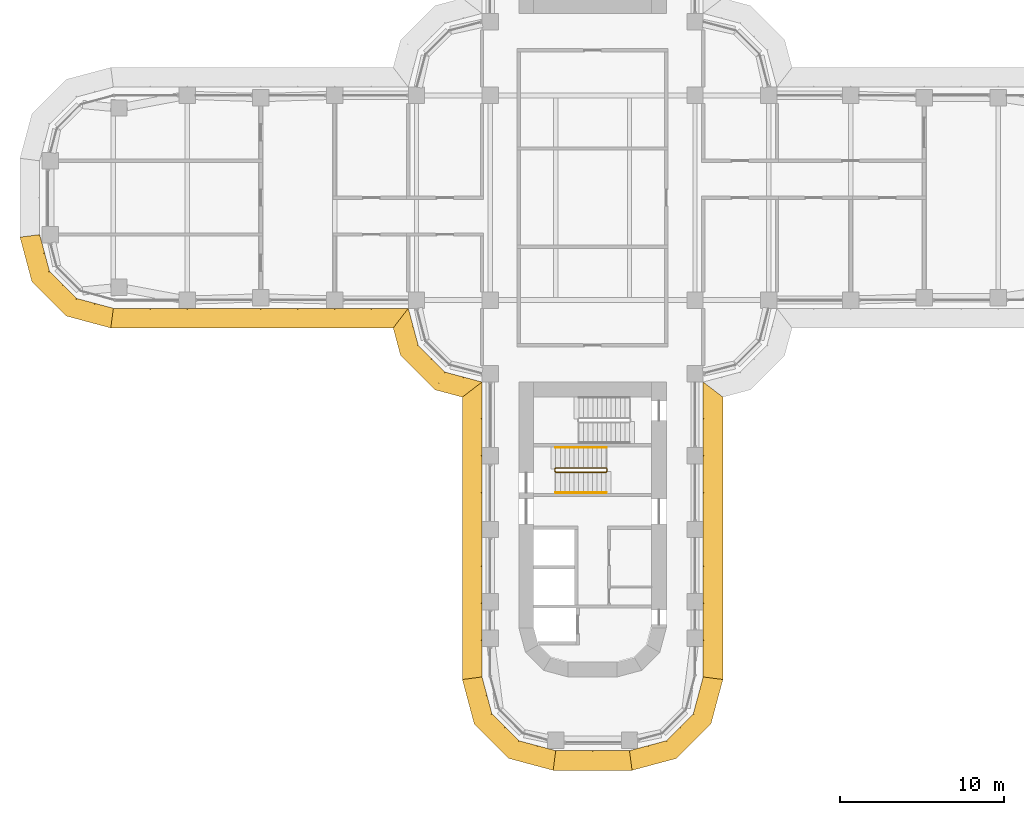
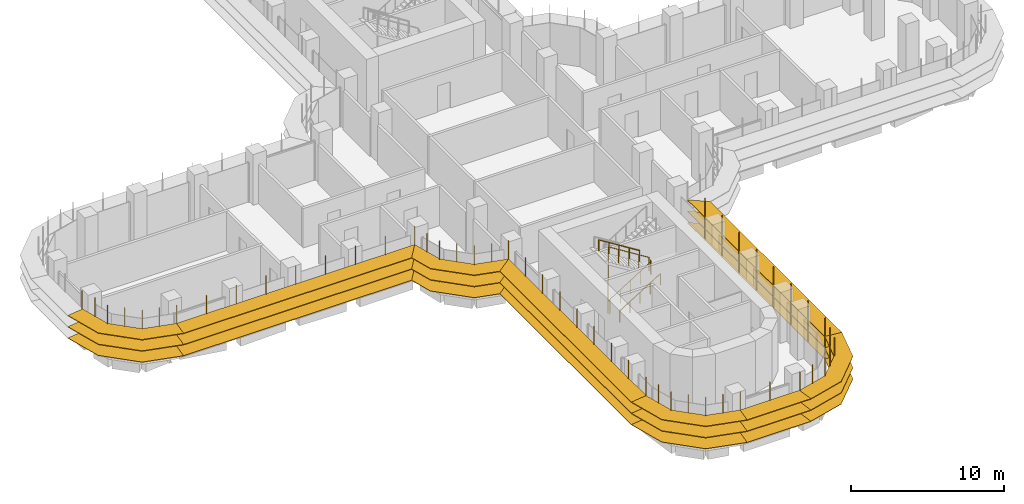
# One storey, part 20 of 23: 8 shading devices, 3 railings.
"""IFC4 building model written with IfcOpenShell, lengths in metres."""

from ifc_helpers import new_model, si_unit, direction, frame, origin, origin_2d, place, context, subcontext, project, spatial, polyline, circle, outline, extrude, faceted_brep, source, transform, mapped, material, type_object, element, save


model = new_model("IFC4")

# Units and contexts
model_context = context("Model", 3, precision=1e-05, world=origin(), true_north=direction((0.0, 1.0)))
body_context = subcontext(model_context, "Body", "Model", "MODEL_VIEW")
ifc_project = project(units=[si_unit("LENGTHUNIT", "METRE"), si_unit("AREAUNIT", "SQUARE_METRE"), si_unit("VOLUMEUNIT", "CUBIC_METRE"), si_unit("PLANEANGLEUNIT", "RADIAN"), si_unit("MASSUNIT", "GRAM", prefix="KILO")], contexts=[model_context])

# Site, building, storey
site_placement = place(None, origin())
site = spatial("IfcSite", under=ifc_project, at=site_placement, CompositionType="ELEMENT")
building_placement = place(site_placement, origin())
building = spatial("IfcBuilding", under=site, at=building_placement, Name="Zarbagh Exchange Tower", CompositionType="ELEMENT")
storey_placement = place(building_placement, frame((0.0, 0.0, 39.60009765625)))
storey = spatial("IfcBuildingStorey", under=building, at=storey_placement, Name="L08", CompositionType="ELEMENT", Elevation=39.60009765625)

# Railings
ifc_material_1 = material(Name="Stainless steel", Category="steel")
railing_type_1 = type_object("IfcRailingType", Name="Stair guard 1100 mm", PredefinedType="GUARDRAIL", material=ifc_material_1)
railing_1_placement = place(storey_placement, frame((0.830078125, -16.5, 2.27490234375)))
element("IfcRailing", 1, at=railing_1_placement, inside=storey, type_object=railing_type_1, Name="ST3 stair guard 1", PredefinedType="GUARDRAIL", context=body_context, shape_type="SweptSolid", body=[
    extrude(circle(Radius=0.02392578125, at=origin_2d()), frame((0.0, 0.0, 1.076171875), z_axis=(-0.847998304005, 0.0, 0.529998940003), x_axis=(0.0, -1.0, 0.0)), (0.0, 0.0, 1.0), 3.632080078125),
    extrude(circle(Radius=0.02392578125, at=origin_2d()), frame((-3.080078125, 0.0, 3.0009765625), z_axis=(-0.011914834358, -0.011914834358, -0.999858026644), x_axis=(0.707106781187, -0.707106781187, 0.0)), (0.0, 0.0, 1.0), 4.200439453125),
    extrude(circle(Radius=0.02392578125, at=origin_2d()), frame((-3.130126953125, -0.050048828125, -1.19873046875), z_axis=(0.0, -1.0, 0.0), x_axis=(1.0, 0.0, 0.0)), (0.0, 0.0, 1.0), 0.14990234375),
    extrude(circle(Radius=0.02392578125, at=origin_2d()), frame((-3.130126953125, -0.199951171875, -1.19873046875), z_axis=(0.265383341853, -0.265383341853, 0.926899867156), x_axis=(0.707106781187, 0.707106781187, 0.0)), (0.0, 0.0, 1.0), 0.1884765625),
    extrude(circle(Radius=0.02392578125, at=origin_2d()), frame((-3.080078125, -0.25, -1.02392578125), z_axis=(0.847998304005, 0.0, 0.529998940003), x_axis=(0.0, 1.0, 0.0)), (0.0, 0.0, 1.0), 3.632080078125),
    extrude(circle(Radius=0.02392578125, at=origin_2d()), frame((0.0, -0.25, 0.90087890625), z_axis=(0.705375805398, 0.708833529934, 0.0), x_axis=(-0.708833529934, 0.705375805398, 0.0)), (0.0, 0.0, 1.0), 0.070556640625),
    extrude(circle(Radius=0.02392578125, at=origin_2d()), frame((0.0498046875, -0.199951171875, 0.90087890625), z_axis=(0.0, 1.0, 0.0), x_axis=(-1.0, 0.0, 0.0)), (0.0, 0.0, 1.0), 0.14990234375),
    extrude(circle(Radius=0.02099609375, at=origin_2d()), origin(), (0.0, 0.0, 1.0), 1.052001953125),
    extrude(circle(Radius=0.02099609375, at=origin_2d()), frame((-0.77001953125, 0.0, 0.481201171875)), (0.0, 0.0, 1.0), 1.052001953125),
    extrude(circle(Radius=0.02099609375, at=origin_2d()), frame((-1.5400390625, 0.0, 0.96240234375)), (0.0, 0.0, 1.0), 1.052001953125),
    extrude(circle(Radius=0.02099609375, at=origin_2d()), frame((-2.31005859375, 0.0, 1.44384765625)), (0.0, 0.0, 1.0), 1.052001953125),
    extrude(circle(Radius=0.02099609375, at=origin_2d()), frame((-3.080078125, 0.0, 1.925048828125)), (0.0, 0.0, 1.0), 1.052001953125),
    extrude(circle(Radius=0.02099609375, at=origin_2d()), frame((-3.092529296875, -0.012451171875, 0.875)), (0.0, 0.0, 1.0), 1.052001953125),
    extrude(circle(Radius=0.02099609375, at=origin_2d()), frame((-3.10498046875, -0.02490234375, -0.1748046875)), (0.0, 0.0, 1.0), 1.052001953125),
    extrude(circle(Radius=0.02099609375, at=origin_2d()), frame((-3.11767578125, -0.03759765625, -1.224853515625)), (0.0, 0.0, 1.0), 1.052001953125),
    extrude(circle(Radius=0.02099609375, at=origin_2d()), frame((-3.130126953125, -0.050048828125, -2.27490234375)), (0.0, 0.0, 1.0), 1.052001953125),
    extrude(circle(Radius=0.02099609375, at=origin_2d()), frame((-3.130126953125, -0.199951171875, -2.27490234375)), (0.0, 0.0, 1.0), 1.052001953125),
    extrude(circle(Radius=0.02099609375, at=origin_2d()), frame((-3.080078125, -0.25, -2.10009765625)), (0.0, 0.0, 1.0), 1.052001953125),
    extrude(circle(Radius=0.02099609375, at=origin_2d()), frame((-2.31005859375, -0.25, -1.618896484375)), (0.0, 0.0, 1.0), 1.052001953125),
    extrude(circle(Radius=0.02099609375, at=origin_2d()), frame((-1.5400390625, -0.25, -1.1376953125)), (0.0, 0.0, 1.0), 1.052001953125),
    extrude(circle(Radius=0.02099609375, at=origin_2d()), frame((-0.77001953125, -0.25, -0.65625)), (0.0, 0.0, 1.0), 1.052001953125),
    extrude(circle(Radius=0.02099609375, at=origin_2d()), frame((0.0, -0.25, -0.175048828125)), (0.0, 0.0, 1.0), 1.052001953125),
    extrude(circle(Radius=0.02099609375, at=origin_2d()), frame((0.0498046875, -0.199951171875, -0.175048828125)), (0.0, 0.0, 1.0), 1.052001953125),
    extrude(circle(Radius=0.02099609375, at=origin_2d()), frame((0.0498046875, -0.050048828125, -0.175048828125)), (0.0, 0.0, 1.0), 1.052001953125),
])
railing_type_2 = type_object("IfcRailingType", Name="Stair handrail 900 mm", PredefinedType="HANDRAIL", material=ifc_material_1)
railing_2_placement = place(storey_placement, frame((-2.25, -18.0, 0.1748046875)))
element("IfcRailing", 2, at=railing_2_placement, inside=storey, type_object=railing_type_2, Name="ST3 stair handrail 1", PredefinedType="HANDRAIL", context=body_context, shape_type="SweptSolid", body=[
    extrude(circle(Radius=0.02392578125, at=origin_2d()), frame((0.0, 0.0, 0.8759765625), z_axis=(0.847998304005, 0.0, 0.529998940003), x_axis=(0.0, 1.0, 0.0)), (0.0, 0.0, 1.0), 3.632080078125),
    extrude(circle(Radius=0.02099609375, at=origin_2d()), origin(), (0.0, 0.0, 1.0), 0.851806640625),
    extrude(circle(Radius=0.02099609375, at=origin_2d()), frame((0.77001953125, 0.0, 0.481201171875)), (0.0, 0.0, 1.0), 0.851806640625),
    extrude(circle(Radius=0.02099609375, at=origin_2d()), frame((1.5400390625, 0.0, 0.96240234375)), (0.0, 0.0, 1.0), 0.851806640625),
    extrude(circle(Radius=0.02099609375, at=origin_2d()), frame((2.31005859375, 0.0, 1.44384765625)), (0.0, 0.0, 1.0), 0.851806640625),
    extrude(circle(Radius=0.02099609375, at=origin_2d()), frame((3.080078125, 0.0, 1.925048828125)), (0.0, 0.0, 1.0), 0.851806640625),
])
railing_3_placement = place(storey_placement, frame((0.830078125, -15.25, 2.27490234375)))
element("IfcRailing", 3, at=railing_3_placement, inside=storey, type_object=railing_type_2, Name="ST3 stair handrail 2", PredefinedType="HANDRAIL", context=body_context, shape_type="SweptSolid", body=[
    extrude(circle(Radius=0.02392578125, at=origin_2d()), frame((0.0, 0.0, 0.8759765625), z_axis=(-0.847998304005, 0.0, 0.529998940003), x_axis=(0.0, -1.0, 0.0)), (0.0, 0.0, 1.0), 3.632080078125),
    extrude(circle(Radius=0.02099609375, at=origin_2d()), origin(), (0.0, 0.0, 1.0), 0.851806640625),
    extrude(circle(Radius=0.02099609375, at=origin_2d()), frame((-0.77001953125, 0.0, 0.481201171875)), (0.0, 0.0, 1.0), 0.851806640625),
    extrude(circle(Radius=0.02099609375, at=origin_2d()), frame((-1.5400390625, 0.0, 0.96240234375)), (0.0, 0.0, 1.0), 0.851806640625),
    extrude(circle(Radius=0.02099609375, at=origin_2d()), frame((-2.31005859375, 0.0, 1.44384765625)), (0.0, 0.0, 1.0), 0.851806640625),
    extrude(circle(Radius=0.02099609375, at=origin_2d()), frame((-3.080078125, 0.0, 1.925048828125)), (0.0, 0.0, 1.0), 0.851806640625),
])

# Shading devices
ifc_material_2 = material(Name="Anodised aluminium blades and brackets", Category="aluminium")
shading_device_type = type_object("IfcShadingDeviceType", Name="SUNSHADE louvre band, 0 degree blades", PredefinedType="JALOUSIE", material=ifc_material_2)
shared_shape_1 = source(origin(), body_context, "Body", "Brep", [
    faceted_brep([(0.0, 0.0, 0.0), (0.0, 0.0, -0.0400390625), (-0.157958984375, -1.199951171875, -0.0400390625), (-0.157958984375, -1.199951171875, 0.0), (2.65087890625, -1.199951171875, 0.0), (2.65087890625, -1.199951171875, -0.0400390625), (2.329345703125, 0.0, -0.0400390625), (2.329345703125, 0.0, 0.0)], [[[0, 1, 2, 3]], [[4, 5, 6, 7]], [[0, 7, 6, 1]], [[1, 6, 5, 2]], [[2, 5, 4, 3]], [[3, 4, 7, 0]]]),
])
shared_shape_2 = source(origin(), body_context, "Body", "Brep", [
    faceted_brep([(0.0, 0.0, 0.0), (0.0, 0.0, -0.0400390625), (-0.321533203125, -1.199951171875, -0.0400390625), (-0.321533203125, -1.199951171875, 0.0), (2.65087890625, -1.199951171875, 0.0), (2.65087890625, -1.199951171875, -0.0400390625), (2.329345703125, 0.0, -0.0400390625), (2.329345703125, 0.0, 0.0)], [[[0, 1, 2, 3]], [[4, 5, 6, 7]], [[0, 7, 6, 1]], [[1, 6, 5, 2]], [[2, 5, 4, 3]], [[3, 4, 7, 0]]]),
])
shared_shape_3 = source(origin(), body_context, "Body", "Brep", [
    faceted_brep([(0.0, 0.0, 0.0), (0.0, 0.0, -0.0400390625), (-0.321533203125, -1.199951171875, -0.0400390625), (-0.321533203125, -1.199951171875, 0.0), (2.4873046875, -1.199951171875, 0.0), (2.4873046875, -1.199951171875, -0.0400390625), (2.329345703125, 0.0, -0.0400390625), (2.329345703125, 0.0, 0.0)], [[[0, 1, 2, 3]], [[4, 5, 6, 7]], [[0, 7, 6, 1]], [[1, 6, 5, 2]], [[2, 5, 4, 3]], [[3, 4, 7, 0]]]),
])
shared_shape_4 = source(origin(), body_context, "Body", "SweptSolid", [
    extrude(outline(polyline([(0.0, -0.012451171875), (0.06005859375, -0.012451171875), (0.06005859375, 0.012451171875), (0.0, 0.012451171875), (0.0, -0.012451171875)])), origin(), (0.0, 0.0, 1.0), 3.35009765625),
])
placement = place(storey_placement, origin())
element("IfcShadingDevice", 4, at=placement, inside=storey, type_object=shading_device_type, Name="SS01 sunshade band", PredefinedType="JALOUSIE", context=body_context, shape_type="MappedRepresentation", body=[
    mapped(shared_shape_1, transform((2.25, -33.75, 2.699951171875), x_axis=(0.965924289636, 0.258824779902, 0.0), y_axis=(-0.258824779902, 0.965924289636, 0.0), z_axis=(0.0, 0.0, 1.0))),
    mapped(shared_shape_1, transform((2.25, -33.75, 1.7998046875), x_axis=(0.965924289636, 0.258824779902, 0.0), y_axis=(-0.258824779902, 0.965924289636, 0.0), z_axis=(0.0, 0.0, 1.0))),
    mapped(shared_shape_1, transform((2.25, -33.75, 0.89990234375), x_axis=(0.965924289636, 0.258824779902, 0.0), y_axis=(-0.258824779902, 0.965924289636, 0.0), z_axis=(0.0, 0.0, 1.0))),
    mapped(shared_shape_2, transform((4.5, -33.147216796875, 2.699951171875), x_axis=(0.707106781187, 0.707106781187, 0.0), y_axis=(-0.707106781187, 0.707106781187, 0.0), z_axis=(0.0, 0.0, 1.0))),
    mapped(shared_shape_2, transform((4.5, -33.147216796875, 1.7998046875), x_axis=(0.707106781187, 0.707106781187, 0.0), y_axis=(-0.707106781187, 0.707106781187, 0.0), z_axis=(0.0, 0.0, 1.0))),
    mapped(shared_shape_2, transform((4.5, -33.147216796875, 0.89990234375), x_axis=(0.707106781187, 0.707106781187, 0.0), y_axis=(-0.707106781187, 0.707106781187, 0.0), z_axis=(0.0, 0.0, 1.0))),
    mapped(shared_shape_3, transform((6.147216796875, -31.5, 2.699951171875), x_axis=(0.258824779902, 0.965924289636, 0.0), y_axis=(-0.965924289636, 0.258824779902, 0.0), z_axis=(0.0, 0.0, 1.0))),
    mapped(shared_shape_3, transform((6.147216796875, -31.5, 1.7998046875), x_axis=(0.258824779902, 0.965924289636, 0.0), y_axis=(-0.965924289636, 0.258824779902, 0.0), z_axis=(0.0, 0.0, 1.0))),
    mapped(shared_shape_3, transform((6.147216796875, -31.5, 0.89990234375), x_axis=(0.258824779902, 0.965924289636, 0.0), y_axis=(-0.965924289636, 0.258824779902, 0.0), z_axis=(0.0, 0.0, 1.0))),
    mapped(shared_shape_4, transform((2.25, -33.75, 0.829833984375), x_axis=(0.130529263012, -0.991444457092, 0.0), y_axis=(0.991444457092, 0.130529263012, 0.0), z_axis=(0.0, 0.0, 1.0))),
    mapped(shared_shape_4, transform((3.375, -33.448486328125, 0.829833984375), x_axis=(0.258825058029, -0.96592421511, 0.0), y_axis=(0.96592421511, 0.258825058029, 0.0), z_axis=(0.0, 0.0, 1.0))),
    mapped(shared_shape_4, transform((4.5, -33.147216796875, 0.829833984375), x_axis=(0.50000275701, -0.866023812018, 0.0), y_axis=(0.866023812018, 0.50000275701, 0.0), z_axis=(0.0, 0.0, 1.0))),
    mapped(shared_shape_4, transform((5.323486328125, -32.323486328125, 0.829833984375), x_axis=(0.707106781187, -0.707106781187, 0.0), y_axis=(0.707106781187, 0.707106781187, 0.0), z_axis=(0.0, 0.0, 1.0))),
    mapped(shared_shape_4, transform((6.147216796875, -31.5, 0.829833984375), x_axis=(0.866023812018, -0.50000275701, 0.0), y_axis=(0.50000275701, 0.866023812018, 0.0), z_axis=(0.0, 0.0, 1.0))),
    mapped(shared_shape_4, transform((6.448486328125, -30.375, 0.829833984375), x_axis=(0.96592421511, -0.258825058029, 0.0), y_axis=(0.258825058029, 0.96592421511, 0.0), z_axis=(0.0, 0.0, 1.0))),
])
element("IfcShadingDevice", 5, at=placement, inside=storey, type_object=shading_device_type, Name="SS19 sunshade band", PredefinedType="JALOUSIE", context=body_context, shape_type="MappedRepresentation", body=[
    mapped(shared_shape_1, transform((-33.75, -2.25, 2.699951171875), x_axis=(0.258824779902, -0.965924289636, 0.0), y_axis=(0.965924289636, 0.258824779902, 0.0), z_axis=(0.0, 0.0, 1.0))),
    mapped(shared_shape_1, transform((-33.75, -2.25, 1.7998046875), x_axis=(0.258824779902, -0.965924289636, 0.0), y_axis=(0.965924289636, 0.258824779902, 0.0), z_axis=(0.0, 0.0, 1.0))),
    mapped(shared_shape_1, transform((-33.75, -2.25, 0.89990234375), x_axis=(0.258824779902, -0.965924289636, 0.0), y_axis=(0.965924289636, 0.258824779902, 0.0), z_axis=(0.0, 0.0, 1.0))),
    mapped(shared_shape_2, transform((-33.147216796875, -4.5, 2.699951171875), x_axis=(0.707106781187, -0.707106781187, 0.0), y_axis=(0.707106781187, 0.707106781187, 0.0), z_axis=(0.0, 0.0, 1.0))),
    mapped(shared_shape_2, transform((-33.147216796875, -4.5, 1.7998046875), x_axis=(0.707106781187, -0.707106781187, 0.0), y_axis=(0.707106781187, 0.707106781187, 0.0), z_axis=(0.0, 0.0, 1.0))),
    mapped(shared_shape_2, transform((-33.147216796875, -4.5, 0.89990234375), x_axis=(0.707106781187, -0.707106781187, 0.0), y_axis=(0.707106781187, 0.707106781187, 0.0), z_axis=(0.0, 0.0, 1.0))),
    mapped(shared_shape_3, transform((-31.5, -6.147216796875, 2.699951171875), x_axis=(0.965924289636, -0.258824779902, 0.0), y_axis=(0.258824779902, 0.965924289636, 0.0), z_axis=(0.0, 0.0, 1.0))),
    mapped(shared_shape_3, transform((-31.5, -6.147216796875, 1.7998046875), x_axis=(0.965924289636, -0.258824779902, 0.0), y_axis=(0.258824779902, 0.965924289636, 0.0), z_axis=(0.0, 0.0, 1.0))),
    mapped(shared_shape_3, transform((-31.5, -6.147216796875, 0.89990234375), x_axis=(0.965924289636, -0.258824779902, 0.0), y_axis=(0.258824779902, 0.965924289636, 0.0), z_axis=(0.0, 0.0, 1.0))),
    mapped(shared_shape_4, transform((-33.75, -2.25, 0.829833984375), x_axis=(-0.991444457092, -0.130529263012, 0.0), y_axis=(0.130529263012, -0.991444457092, 0.0), z_axis=(0.0, 0.0, 1.0))),
    mapped(shared_shape_4, transform((-33.448486328125, -3.375, 0.829833984375), x_axis=(-0.96592421511, -0.258825058029, 0.0), y_axis=(0.258825058029, -0.96592421511, 0.0), z_axis=(0.0, 0.0, 1.0))),
    mapped(shared_shape_4, transform((-33.147216796875, -4.5, 0.829833984375), x_axis=(-0.866023812018, -0.50000275701, 0.0), y_axis=(0.50000275701, -0.866023812018, 0.0), z_axis=(0.0, 0.0, 1.0))),
    mapped(shared_shape_4, transform((-32.323486328125, -5.323486328125, 0.829833984375), x_axis=(-0.707106781187, -0.707106781187, 0.0), y_axis=(0.707106781187, -0.707106781187, 0.0), z_axis=(0.0, 0.0, 1.0))),
    mapped(shared_shape_4, transform((-31.5, -6.147216796875, 0.829833984375), x_axis=(-0.50000275701, -0.866023812018, 0.0), y_axis=(0.866023812018, -0.50000275701, 0.0), z_axis=(0.0, 0.0, 1.0))),
    mapped(shared_shape_4, transform((-30.375, -6.448486328125, 0.829833984375), x_axis=(-0.258825058029, -0.96592421511, 0.0), y_axis=(0.96592421511, -0.258825058029, 0.0), z_axis=(0.0, 0.0, 1.0))),
])
element("IfcShadingDevice", 6, at=placement, inside=storey, type_object=shading_device_type, Name="SS23 sunshade band", PredefinedType="JALOUSIE", context=body_context, shape_type="MappedRepresentation", body=[
    mapped(shared_shape_1, transform((-6.75, -29.25, 2.699951171875), x_axis=(0.258824779902, -0.965924289636, 0.0), y_axis=(0.965924289636, 0.258824779902, 0.0), z_axis=(0.0, 0.0, 1.0))),
    mapped(shared_shape_1, transform((-6.75, -29.25, 1.7998046875), x_axis=(0.258824779902, -0.965924289636, 0.0), y_axis=(0.965924289636, 0.258824779902, 0.0), z_axis=(0.0, 0.0, 1.0))),
    mapped(shared_shape_1, transform((-6.75, -29.25, 0.89990234375), x_axis=(0.258824779902, -0.965924289636, 0.0), y_axis=(0.965924289636, 0.258824779902, 0.0), z_axis=(0.0, 0.0, 1.0))),
    mapped(shared_shape_2, transform((-6.147216796875, -31.5, 2.699951171875), x_axis=(0.707106781187, -0.707106781187, 0.0), y_axis=(0.707106781187, 0.707106781187, 0.0), z_axis=(0.0, 0.0, 1.0))),
    mapped(shared_shape_2, transform((-6.147216796875, -31.5, 1.7998046875), x_axis=(0.707106781187, -0.707106781187, 0.0), y_axis=(0.707106781187, 0.707106781187, 0.0), z_axis=(0.0, 0.0, 1.0))),
    mapped(shared_shape_2, transform((-6.147216796875, -31.5, 0.89990234375), x_axis=(0.707106781187, -0.707106781187, 0.0), y_axis=(0.707106781187, 0.707106781187, 0.0), z_axis=(0.0, 0.0, 1.0))),
    mapped(shared_shape_3, transform((-4.5, -33.147216796875, 2.699951171875), x_axis=(0.965924289636, -0.258824779902, 0.0), y_axis=(0.258824779902, 0.965924289636, 0.0), z_axis=(0.0, 0.0, 1.0))),
    mapped(shared_shape_3, transform((-4.5, -33.147216796875, 1.7998046875), x_axis=(0.965924289636, -0.258824779902, 0.0), y_axis=(0.258824779902, 0.965924289636, 0.0), z_axis=(0.0, 0.0, 1.0))),
    mapped(shared_shape_3, transform((-4.5, -33.147216796875, 0.89990234375), x_axis=(0.965924289636, -0.258824779902, 0.0), y_axis=(0.258824779902, 0.965924289636, 0.0), z_axis=(0.0, 0.0, 1.0))),
    mapped(shared_shape_4, transform((-6.75, -29.25, 0.829833984375), x_axis=(-0.991444457092, -0.130529263012, 0.0), y_axis=(0.130529263012, -0.991444457092, 0.0), z_axis=(0.0, 0.0, 1.0))),
    mapped(shared_shape_4, transform((-6.448486328125, -30.375, 0.829833984375), x_axis=(-0.96592421511, -0.258825058029, 0.0), y_axis=(0.258825058029, -0.96592421511, 0.0), z_axis=(0.0, 0.0, 1.0))),
    mapped(shared_shape_4, transform((-6.147216796875, -31.5, 0.829833984375), x_axis=(-0.866023812018, -0.50000275701, 0.0), y_axis=(0.50000275701, -0.866023812018, 0.0), z_axis=(0.0, 0.0, 1.0))),
    mapped(shared_shape_4, transform((-5.323486328125, -32.323486328125, 0.829833984375), x_axis=(-0.707106781187, -0.707106781187, 0.0), y_axis=(0.707106781187, -0.707106781187, 0.0), z_axis=(0.0, 0.0, 1.0))),
    mapped(shared_shape_4, transform((-4.5, -33.147216796875, 0.829833984375), x_axis=(-0.50000275701, -0.866023812018, 0.0), y_axis=(0.866023812018, -0.50000275701, 0.0), z_axis=(0.0, 0.0, 1.0))),
    mapped(shared_shape_4, transform((-3.375, -33.448486328125, 0.829833984375), x_axis=(-0.258825058029, -0.96592421511, 0.0), y_axis=(0.96592421511, -0.258825058029, 0.0), z_axis=(0.0, 0.0, 1.0))),
])
shared_shape_5 = source(origin(), body_context, "Body", "Brep", [
    faceted_brep([(0.0, 0.0, 0.0), (0.0, 0.0, -0.0400390625), (0.9208984375, -1.199951171875, -0.0400390625), (0.9208984375, -1.199951171875, 0.0), (2.65087890625, -1.199951171875, 0.0), (2.65087890625, -1.199951171875, -0.0400390625), (2.329345703125, 0.0, -0.0400390625), (2.329345703125, 0.0, 0.0)], [[[0, 1, 2, 3]], [[4, 5, 6, 7]], [[0, 7, 6, 1]], [[1, 6, 5, 2]], [[2, 5, 4, 3]], [[3, 4, 7, 0]]]),
])
shared_shape_6 = source(origin(), body_context, "Body", "Brep", [
    faceted_brep([(0.0, 0.0, 0.0), (0.0, 0.0, -0.0400390625), (-0.321533203125, -1.199951171875, -0.0400390625), (-0.321533203125, -1.199951171875, 0.0), (1.40869140625, -1.199951171875, 0.0), (1.40869140625, -1.199951171875, -0.0400390625), (2.329345703125, 0.0, -0.0400390625), (2.329345703125, 0.0, 0.0)], [[[0, 1, 2, 3]], [[4, 5, 6, 7]], [[0, 7, 6, 1]], [[1, 6, 5, 2]], [[2, 5, 4, 3]], [[3, 4, 7, 0]]]),
])
element("IfcShadingDevice", 7, at=placement, inside=storey, type_object=shading_device_type, Name="SS21 sunshade band", PredefinedType="JALOUSIE", context=body_context, shape_type="MappedRepresentation", body=[
    mapped(shared_shape_5, transform((-11.25, -6.75, 2.699951171875), x_axis=(0.258824779902, -0.965924289636, 0.0), y_axis=(0.965924289636, 0.258824779902, 0.0), z_axis=(0.0, 0.0, 1.0))),
    mapped(shared_shape_5, transform((-11.25, -6.75, 1.7998046875), x_axis=(0.258824779902, -0.965924289636, 0.0), y_axis=(0.965924289636, 0.258824779902, 0.0), z_axis=(0.0, 0.0, 1.0))),
    mapped(shared_shape_5, transform((-11.25, -6.75, 0.89990234375), x_axis=(0.258824779902, -0.965924289636, 0.0), y_axis=(0.965924289636, 0.258824779902, 0.0), z_axis=(0.0, 0.0, 1.0))),
    mapped(shared_shape_2, transform((-10.647216796875, -9.0, 2.699951171875), x_axis=(0.707106781187, -0.707106781187, 0.0), y_axis=(0.707106781187, 0.707106781187, 0.0), z_axis=(0.0, 0.0, 1.0))),
    mapped(shared_shape_2, transform((-10.647216796875, -9.0, 1.7998046875), x_axis=(0.707106781187, -0.707106781187, 0.0), y_axis=(0.707106781187, 0.707106781187, 0.0), z_axis=(0.0, 0.0, 1.0))),
    mapped(shared_shape_2, transform((-10.647216796875, -9.0, 0.89990234375), x_axis=(0.707106781187, -0.707106781187, 0.0), y_axis=(0.707106781187, 0.707106781187, 0.0), z_axis=(0.0, 0.0, 1.0))),
    mapped(shared_shape_6, transform((-9.0, -10.647216796875, 2.699951171875), x_axis=(0.965924289636, -0.258824779902, 0.0), y_axis=(0.258824779902, 0.965924289636, 0.0), z_axis=(0.0, 0.0, 1.0))),
    mapped(shared_shape_6, transform((-9.0, -10.647216796875, 1.7998046875), x_axis=(0.965924289636, -0.258824779902, 0.0), y_axis=(0.258824779902, 0.965924289636, 0.0), z_axis=(0.0, 0.0, 1.0))),
    mapped(shared_shape_6, transform((-9.0, -10.647216796875, 0.89990234375), x_axis=(0.965924289636, -0.258824779902, 0.0), y_axis=(0.258824779902, 0.965924289636, 0.0), z_axis=(0.0, 0.0, 1.0))),
    mapped(shared_shape_4, transform((-11.25, -6.75, 0.829833984375), x_axis=(-0.608758892, -0.793355287, 0.0), y_axis=(0.793355287, -0.608758892, 0.0), z_axis=(0.0, 0.0, 1.0))),
    mapped(shared_shape_4, transform((-10.948486328125, -7.875, 0.829833984375), x_axis=(-0.96592421511, -0.258825058029, 0.0), y_axis=(0.258825058029, -0.96592421511, 0.0), z_axis=(0.0, 0.0, 1.0))),
    mapped(shared_shape_4, transform((-10.647216796875, -9.0, 0.829833984375), x_axis=(-0.866023812018, -0.50000275701, 0.0), y_axis=(0.50000275701, -0.866023812018, 0.0), z_axis=(0.0, 0.0, 1.0))),
    mapped(shared_shape_4, transform((-9.823486328125, -9.823486328125, 0.829833984375), x_axis=(-0.707106781187, -0.707106781187, 0.0), y_axis=(0.707106781187, -0.707106781187, 0.0), z_axis=(0.0, 0.0, 1.0))),
    mapped(shared_shape_4, transform((-9.0, -10.647216796875, 0.829833984375), x_axis=(-0.50000275701, -0.866023812018, 0.0), y_axis=(0.866023812018, -0.50000275701, 0.0), z_axis=(0.0, 0.0, 1.0))),
    mapped(shared_shape_4, transform((-7.875, -10.948486328125, 0.829833984375), x_axis=(-0.258825058029, -0.96592421511, 0.0), y_axis=(0.96592421511, -0.258825058029, 0.0), z_axis=(0.0, 0.0, 1.0))),
])
shared_shape_7 = source(origin(), body_context, "Body", "Brep", [
    faceted_brep([(0.0, 0.0, 0.0), (0.0, 0.0, -0.0400390625), (-0.157958984375, -1.199951171875, -0.0400390625), (-0.157958984375, -1.199951171875, 0.0), (17.0791015625, -1.199951171875, 0.0), (17.0791015625, -1.199951171875, -0.0400390625), (18.0, 0.0, -0.0400390625), (18.0, 0.0, 0.0)], [[[0, 1, 2, 3]], [[4, 5, 6, 7]], [[0, 7, 6, 1]], [[1, 6, 5, 2]], [[2, 5, 4, 3]], [[3, 4, 7, 0]]]),
])
element("IfcShadingDevice", 8, at=placement, inside=storey, type_object=shading_device_type, Name="SS02 sunshade band", PredefinedType="JALOUSIE", context=body_context, shape_type="MappedRepresentation", body=[
    mapped(shared_shape_7, transform((6.75, -29.25, 2.699951171875), x_axis=(0.0, 1.0, 0.0), y_axis=(-1.0, 0.0, 0.0), z_axis=(0.0, 0.0, 1.0))),
    mapped(shared_shape_7, transform((6.75, -29.25, 1.7998046875), x_axis=(0.0, 1.0, 0.0), y_axis=(-1.0, 0.0, 0.0), z_axis=(0.0, 0.0, 1.0))),
    mapped(shared_shape_7, transform((6.75, -29.25, 0.89990234375), x_axis=(0.0, 1.0, 0.0), y_axis=(-1.0, 0.0, 0.0), z_axis=(0.0, 0.0, 1.0))),
    mapped(shared_shape_4, transform((6.75, -29.25, 0.829833984375), x_axis=(0.991444457092, -0.130529263012, 0.0), y_axis=(0.130529263012, 0.991444457092, 0.0), z_axis=(0.0, 0.0, 1.0))),
    mapped(shared_shape_4, transform((6.75, -27.0, 0.829833984375), x_axis=(1.0, 0.0, 0.0), y_axis=(0.0, 1.0, 0.0), z_axis=(0.0, 0.0, 1.0))),
    mapped(shared_shape_4, transform((6.75, -24.75, 0.829833984375), x_axis=(1.0, 0.0, 0.0), y_axis=(0.0, 1.0, 0.0), z_axis=(0.0, 0.0, 1.0))),
    mapped(shared_shape_4, transform((6.75, -22.5, 0.829833984375), x_axis=(1.0, 0.0, 0.0), y_axis=(0.0, 1.0, 0.0), z_axis=(0.0, 0.0, 1.0))),
    mapped(shared_shape_4, transform((6.75, -20.25, 0.829833984375), x_axis=(1.0, 0.0, 0.0), y_axis=(0.0, 1.0, 0.0), z_axis=(0.0, 0.0, 1.0))),
    mapped(shared_shape_4, transform((6.75, -18.0, 0.829833984375), x_axis=(1.0, 0.0, 0.0), y_axis=(0.0, 1.0, 0.0), z_axis=(0.0, 0.0, 1.0))),
    mapped(shared_shape_4, transform((6.75, -15.75, 0.829833984375), x_axis=(1.0, 0.0, 0.0), y_axis=(0.0, 1.0, 0.0), z_axis=(0.0, 0.0, 1.0))),
    mapped(shared_shape_4, transform((6.75, -13.5, 0.829833984375), x_axis=(1.0, 0.0, 0.0), y_axis=(0.0, 1.0, 0.0), z_axis=(0.0, 0.0, 1.0))),
])
element("IfcShadingDevice", 9, at=placement, inside=storey, type_object=shading_device_type, Name="SS20 sunshade band", PredefinedType="JALOUSIE", context=body_context, shape_type="MappedRepresentation", body=[
    mapped(shared_shape_7, transform((-29.25, -6.75, 2.699951171875), x_axis=(1.0, 0.0, 0.0), y_axis=(0.0, 1.0, 0.0), z_axis=(0.0, 0.0, 1.0))),
    mapped(shared_shape_7, transform((-29.25, -6.75, 1.7998046875), x_axis=(1.0, 0.0, 0.0), y_axis=(0.0, 1.0, 0.0), z_axis=(0.0, 0.0, 1.0))),
    mapped(shared_shape_7, transform((-29.25, -6.75, 0.89990234375), x_axis=(1.0, 0.0, 0.0), y_axis=(0.0, 1.0, 0.0), z_axis=(0.0, 0.0, 1.0))),
    mapped(shared_shape_4, transform((-29.25, -6.75, 0.829833984375), x_axis=(-0.130529263012, -0.991444457092, 0.0), y_axis=(0.991444457092, -0.130529263012, 0.0), z_axis=(0.0, 0.0, 1.0))),
    mapped(shared_shape_4, transform((-27.0, -6.75, 0.829833984375), x_axis=(0.0, -1.0, 0.0), y_axis=(1.0, 0.0, 0.0), z_axis=(0.0, 0.0, 1.0))),
    mapped(shared_shape_4, transform((-24.75, -6.75, 0.829833984375), x_axis=(0.0, -1.0, 0.0), y_axis=(1.0, 0.0, 0.0), z_axis=(0.0, 0.0, 1.0))),
    mapped(shared_shape_4, transform((-22.5, -6.75, 0.829833984375), x_axis=(0.0, -1.0, 0.0), y_axis=(1.0, 0.0, 0.0), z_axis=(0.0, 0.0, 1.0))),
    mapped(shared_shape_4, transform((-20.25, -6.75, 0.829833984375), x_axis=(0.0, -1.0, 0.0), y_axis=(1.0, 0.0, 0.0), z_axis=(0.0, 0.0, 1.0))),
    mapped(shared_shape_4, transform((-18.0, -6.75, 0.829833984375), x_axis=(0.0, -1.0, 0.0), y_axis=(1.0, 0.0, 0.0), z_axis=(0.0, 0.0, 1.0))),
    mapped(shared_shape_4, transform((-15.75, -6.75, 0.829833984375), x_axis=(0.0, -1.0, 0.0), y_axis=(1.0, 0.0, 0.0), z_axis=(0.0, 0.0, 1.0))),
    mapped(shared_shape_4, transform((-13.5, -6.75, 0.829833984375), x_axis=(0.0, -1.0, 0.0), y_axis=(1.0, 0.0, 0.0), z_axis=(0.0, 0.0, 1.0))),
])
shared_shape_8 = source(origin(), body_context, "Body", "Brep", [
    faceted_brep([(0.0, 0.0, 0.0), (0.0, 0.0, -0.0400390625), (0.9208984375, -1.199951171875, -0.0400390625), (0.9208984375, -1.199951171875, 0.0), (18.157958984375, -1.199951171875, 0.0), (18.157958984375, -1.199951171875, -0.0400390625), (18.0, 0.0, -0.0400390625), (18.0, 0.0, 0.0)], [[[0, 1, 2, 3]], [[4, 5, 6, 7]], [[0, 7, 6, 1]], [[1, 6, 5, 2]], [[2, 5, 4, 3]], [[3, 4, 7, 0]]]),
])
element("IfcShadingDevice", 10, at=placement, inside=storey, type_object=shading_device_type, Name="SS22 sunshade band", PredefinedType="JALOUSIE", context=body_context, shape_type="MappedRepresentation", body=[
    mapped(shared_shape_8, transform((-6.75, -11.25, 2.699951171875), x_axis=(0.0, -1.0, 0.0), y_axis=(1.0, 0.0, 0.0), z_axis=(0.0, 0.0, 1.0))),
    mapped(shared_shape_8, transform((-6.75, -11.25, 1.7998046875), x_axis=(0.0, -1.0, 0.0), y_axis=(1.0, 0.0, 0.0), z_axis=(0.0, 0.0, 1.0))),
    mapped(shared_shape_8, transform((-6.75, -11.25, 0.89990234375), x_axis=(0.0, -1.0, 0.0), y_axis=(1.0, 0.0, 0.0), z_axis=(0.0, 0.0, 1.0))),
    mapped(shared_shape_4, transform((-6.75, -11.25, 0.829833984375), x_axis=(-0.793355287, -0.608758892, 0.0), y_axis=(0.608758892, -0.793355287, 0.0), z_axis=(0.0, 0.0, 1.0))),
    mapped(shared_shape_4, transform((-6.75, -13.5, 0.829833984375), x_axis=(-1.0, 0.0, 0.0), y_axis=(0.0, -1.0, 0.0), z_axis=(0.0, 0.0, 1.0))),
    mapped(shared_shape_4, transform((-6.75, -15.75, 0.829833984375), x_axis=(-1.0, 0.0, 0.0), y_axis=(0.0, -1.0, 0.0), z_axis=(0.0, 0.0, 1.0))),
    mapped(shared_shape_4, transform((-6.75, -18.0, 0.829833984375), x_axis=(-1.0, 0.0, 0.0), y_axis=(0.0, -1.0, 0.0), z_axis=(0.0, 0.0, 1.0))),
    mapped(shared_shape_4, transform((-6.75, -20.25, 0.829833984375), x_axis=(-1.0, 0.0, 0.0), y_axis=(0.0, -1.0, 0.0), z_axis=(0.0, 0.0, 1.0))),
    mapped(shared_shape_4, transform((-6.75, -22.5, 0.829833984375), x_axis=(-1.0, 0.0, 0.0), y_axis=(0.0, -1.0, 0.0), z_axis=(0.0, 0.0, 1.0))),
    mapped(shared_shape_4, transform((-6.75, -24.75, 0.829833984375), x_axis=(-1.0, 0.0, 0.0), y_axis=(0.0, -1.0, 0.0), z_axis=(0.0, 0.0, 1.0))),
    mapped(shared_shape_4, transform((-6.75, -27.0, 0.829833984375), x_axis=(-1.0, 0.0, 0.0), y_axis=(0.0, -1.0, 0.0), z_axis=(0.0, 0.0, 1.0))),
])
shared_shape_9 = source(origin(), body_context, "Body", "Brep", [
    faceted_brep([(0.0, 0.0, 0.0), (0.0, 0.0, -0.0400390625), (-0.157958984375, -1.199951171875, -0.0400390625), (-0.157958984375, -1.199951171875, 0.0), (4.657958984375, -1.199951171875, 0.0), (4.657958984375, -1.199951171875, -0.0400390625), (4.5, 0.0, -0.0400390625), (4.5, 0.0, 0.0)], [[[0, 1, 2, 3]], [[4, 5, 6, 7]], [[0, 7, 6, 1]], [[1, 6, 5, 2]], [[2, 5, 4, 3]], [[3, 4, 7, 0]]]),
])
element("IfcShadingDevice", 11, at=placement, inside=storey, type_object=shading_device_type, Name="SS24 sunshade band", PredefinedType="JALOUSIE", context=body_context, shape_type="MappedRepresentation", body=[
    mapped(shared_shape_9, transform((-2.25, -33.75, 2.699951171875), x_axis=(1.0, 0.0, 0.0), y_axis=(0.0, 1.0, 0.0), z_axis=(0.0, 0.0, 1.0))),
    mapped(shared_shape_9, transform((-2.25, -33.75, 1.7998046875), x_axis=(1.0, 0.0, 0.0), y_axis=(0.0, 1.0, 0.0), z_axis=(0.0, 0.0, 1.0))),
    mapped(shared_shape_9, transform((-2.25, -33.75, 0.89990234375), x_axis=(1.0, 0.0, 0.0), y_axis=(0.0, 1.0, 0.0), z_axis=(0.0, 0.0, 1.0))),
    mapped(shared_shape_4, transform((-2.25, -33.75, 0.829833984375), x_axis=(-0.130529263012, -0.991444457092, 0.0), y_axis=(0.991444457092, -0.130529263012, 0.0), z_axis=(0.0, 0.0, 1.0))),
    mapped(shared_shape_4, transform((0.0, -33.75, 0.829833984375), x_axis=(0.0, -1.0, 0.0), y_axis=(1.0, 0.0, 0.0), z_axis=(0.0, 0.0, 1.0))),
])

save(model, "model.ifc")
